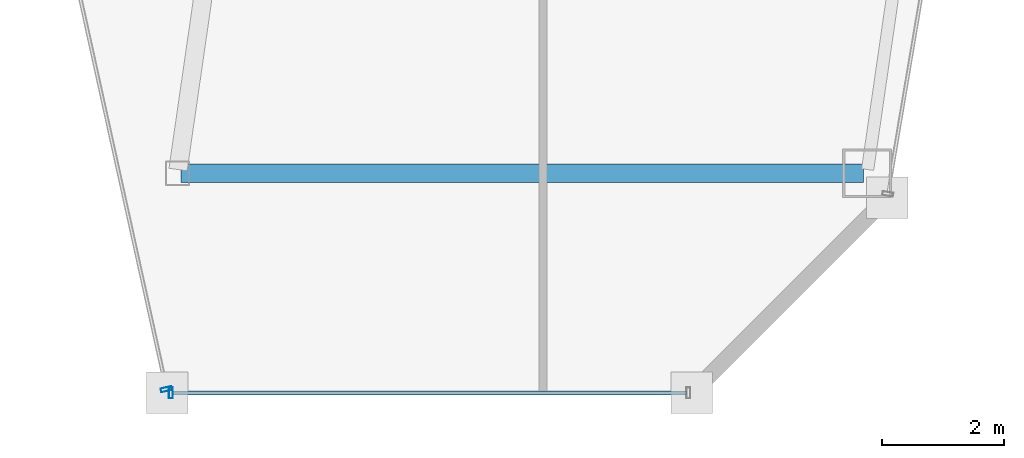
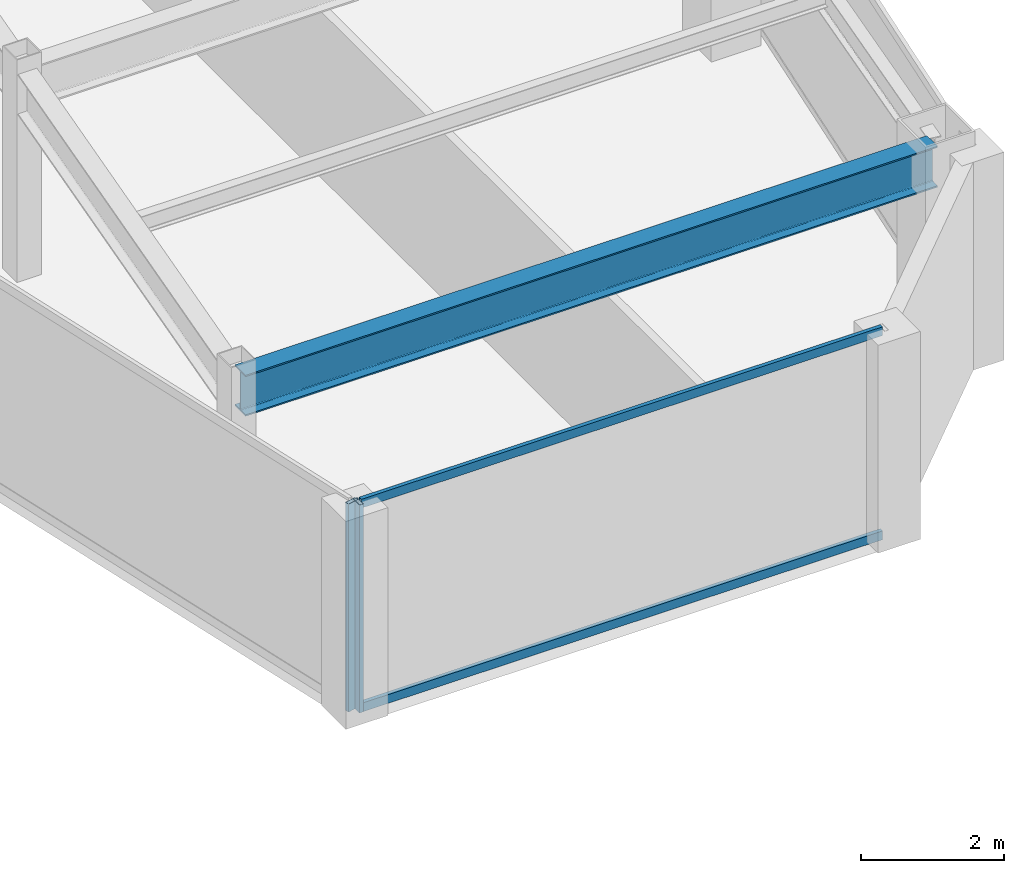
# One storey, part 16 of 35: 4 members, 1 beam, 2 elements without a shape of their own.
"""IFC4 building model written with IfcOpenShell, lengths in metres."""

from ifc_helpers import new_model, si_unit, direction, frame, origin, origin_2d, place, context, subcontext, project, spatial, hollow_rectangle, i_section, extrude, material, material_profile, profile_set, type_object, element, aggregate, save


model = new_model("IFC4")

# Units and contexts
model_context = context("Model", 3, precision=1e-05, world=origin(), true_north=direction((0.0, 1.0)))
body_context = subcontext(model_context, "Body", "Model", "MODEL_VIEW")
ifc_project = project(units=[si_unit("LENGTHUNIT", "METRE"), si_unit("AREAUNIT", "SQUARE_METRE"), si_unit("VOLUMEUNIT", "CUBIC_METRE"), si_unit("PLANEANGLEUNIT", "RADIAN"), si_unit("MASSUNIT", "GRAM", prefix="KILO")], contexts=[model_context])

# Site, building, storey
site_placement = place(None, origin())
site = spatial("IfcSite", under=ifc_project, at=site_placement, CompositionType="ELEMENT")
building_placement = place(site_placement, origin())
building = spatial("IfcBuilding", under=site, at=building_placement, Name="Saevonmaru Cultural Tower", CompositionType="ELEMENT")
storey_placement = place(building_placement, frame((0.0, 0.0, 213.199951171875)))
storey = spatial("IfcBuildingStorey", under=building, at=storey_placement, Name="L49", CompositionType="ELEMENT", Elevation=213.199951171875)

# Beam
ifc_material_1 = material(Name="Steel SM355", Category="steel")
ifc_material_profile_1 = material_profile(ifc_material_1, i_section(OverallWidth=0.300048828125, OverallDepth=0.699951171875, WebThickness=0.012939453125, FlangeThickness=0.02392578125, FilletRadius=0.02587890625, at=origin_2d()), Name="H-700x300x13x24")
ifc_profile_set_1 = profile_set([ifc_material_profile_1], Name="Steel SM355")
beam_type = type_object("IfcBeamType", Name="BM-G-H700", PredefinedType="BEAM", material=ifc_profile_set_1)
beam_placement = place(storey_placement, frame((38.132080078125, 16.0, 3.199951171875), z_axis=(1.0, 0.0, 0.0), x_axis=(0.0, 1.0, 0.0)))
element("IfcBeam", 1, at=beam_placement, inside=storey, type_object=beam_type, Name="L49 East Wing Transverse Girder 1", PredefinedType="BEAM", context=body_context, shape_type="SweptSolid", body=[
    extrude(i_section(OverallWidth=0.300048828125, OverallDepth=0.699951171875, WebThickness=0.012939453125, FlangeThickness=0.02392578125, FilletRadius=0.02587890625, at=origin_2d()), origin(), (0.0, 0.0, 1.0), 11.179931640625),
])

# Curtain wall, member
ifc_material_2 = material(Name="Satin Bronze Anodised Aluminium", Category="aluminium")
curtain_wall_type = type_object("IfcCurtainWallType", Name="CW-TYP-B", PredefinedType="NOTDEFINED", material=ifc_material_2)
curtain_wall_1_placement = place(storey_placement, origin())
curtain_wall_1 = element("IfcCurtainWall", 2, at=curtain_wall_1_placement, inside=storey, type_object=curtain_wall_type, Name="L49 Unitised Curtain Wall E5", PredefinedType="NOTDEFINED")
ifc_material_profile_2 = material_profile(ifc_material_2, hollow_rectangle(XDim=0.06494140625, YDim=0.179931640625, WallThickness=0.00390625, at=origin_2d()), Name="ALU-MULL-180x65x4")
ifc_profile_set_2 = profile_set([ifc_material_profile_2], Name="Satin Bronze Anodised Aluminium")
member_type_1 = type_object("IfcMemberType", Name="ML-CW-180x65", PredefinedType="MULLION", material=ifc_profile_set_2)
member_1_placement = place(storey_placement, frame((37.889404296875, 12.45849609375, 0.0), z_axis=(0.0, 0.0, 1.0), x_axis=(0.215413319953, -0.976522965212, 0.0)))
member_1 = element("IfcMember", 3, at=member_1_placement, type_object=member_type_1, Name="CW-TW-L49-E5 mullion 2", PredefinedType="MULLION", context=body_context, shape_type="SweptSolid", body=[
    extrude(hollow_rectangle(XDim=0.06494140625, YDim=0.179931640625, WallThickness=0.00390625, at=origin_2d()), origin(), (0.0, 0.0, 1.0), 3.550048828125),
])
aggregate(curtain_wall_1, [member_1])

# Curtain wall, members
curtain_wall_2_placement = place(storey_placement, origin())
curtain_wall_2 = element("IfcCurtainWall", 4, at=curtain_wall_2_placement, inside=storey, type_object=curtain_wall_type, Name="L49 Unitised Curtain Wall E6", PredefinedType="NOTDEFINED")
member_2_placement = place(storey_placement, frame((37.962158203125, 12.39990234375, 0.0), z_axis=(0.0, 0.0, 1.0), x_axis=(1.0, 0.0, 0.0)))
member_2 = element("IfcMember", 5, at=member_2_placement, type_object=member_type_1, Name="CW-TW-L49-E6 mullion 1", PredefinedType="MULLION", context=body_context, shape_type="SweptSolid", body=[
    extrude(hollow_rectangle(XDim=0.06494140625, YDim=0.179931640625, WallThickness=0.00390625, at=origin_2d()), origin(), (0.0, 0.0, 1.0), 3.550048828125),
])
ifc_material_profile_3 = material_profile(ifc_material_2, hollow_rectangle(XDim=0.06494140625, YDim=0.14990234375, WallThickness=0.00390625, at=origin_2d()), Name="ALU-TRAN-150x65x4")
ifc_profile_set_3 = profile_set([ifc_material_profile_3], Name="Satin Bronze Anodised Aluminium")
member_type_2 = type_object("IfcMemberType", Name="TR-CW-150x65", PredefinedType="USERDEFINED", material=ifc_profile_set_3)
member_3_placement = place(storey_placement, frame((37.99462890625, 12.39990234375, 0.032470703125), z_axis=(1.0, 0.0, 0.0), x_axis=(0.0, 1.0, 0.0)))
member_3 = element("IfcMember", 6, at=member_3_placement, type_object=member_type_2, Name="CW-TW-L49-E6 transom 1.1", ObjectType="TRANSOM", PredefinedType="USERDEFINED", context=body_context, shape_type="SweptSolid", body=[
    extrude(hollow_rectangle(XDim=0.06494140625, YDim=0.14990234375, WallThickness=0.00390625, at=origin_2d()), origin(), (0.0, 0.0, 1.0), 8.4150390625),
])
member_4_placement = place(storey_placement, frame((37.99462890625, 12.39990234375, 3.517578125), z_axis=(1.0, 0.0, 0.0), x_axis=(0.0, 1.0, 0.0)))
member_4 = element("IfcMember", 7, at=member_4_placement, type_object=member_type_2, Name="CW-TW-L49-E6 transom 1.2", ObjectType="TRANSOM", PredefinedType="USERDEFINED", context=body_context, shape_type="SweptSolid", body=[
    extrude(hollow_rectangle(XDim=0.06494140625, YDim=0.14990234375, WallThickness=0.00390625, at=origin_2d()), origin(), (0.0, 0.0, 1.0), 8.4150390625),
])
aggregate(curtain_wall_2, [member_2, member_3, member_4])

save(model, "model.ifc")
